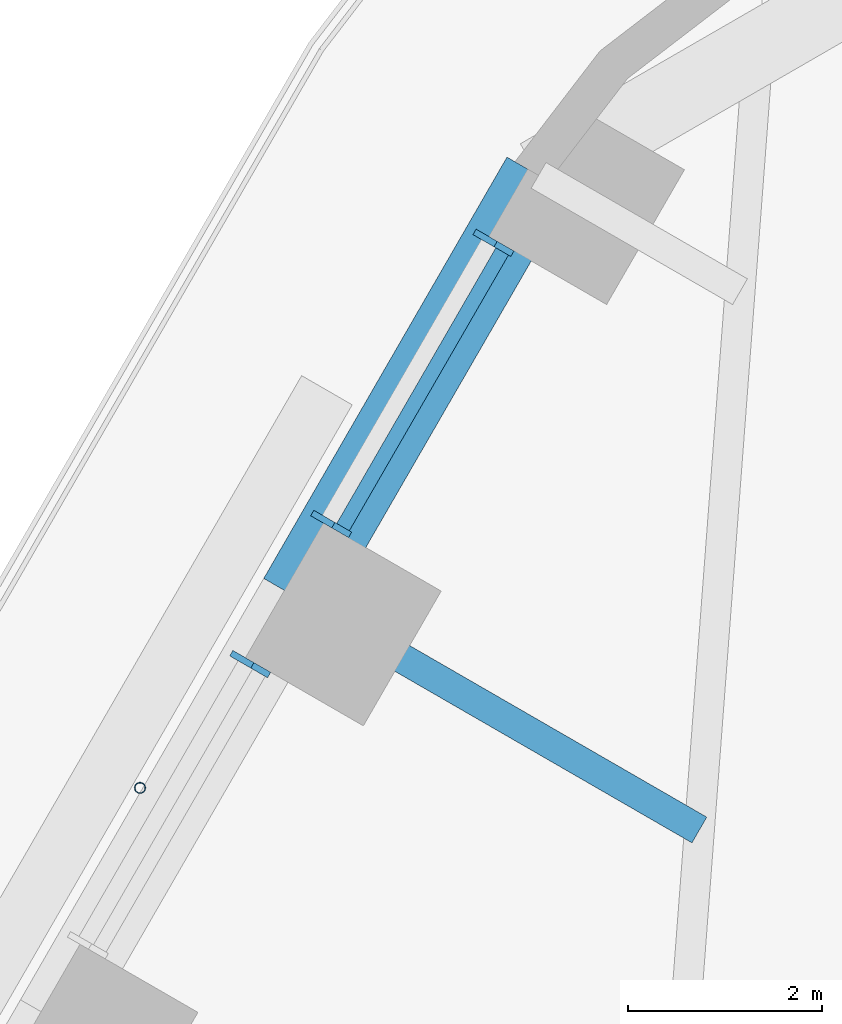
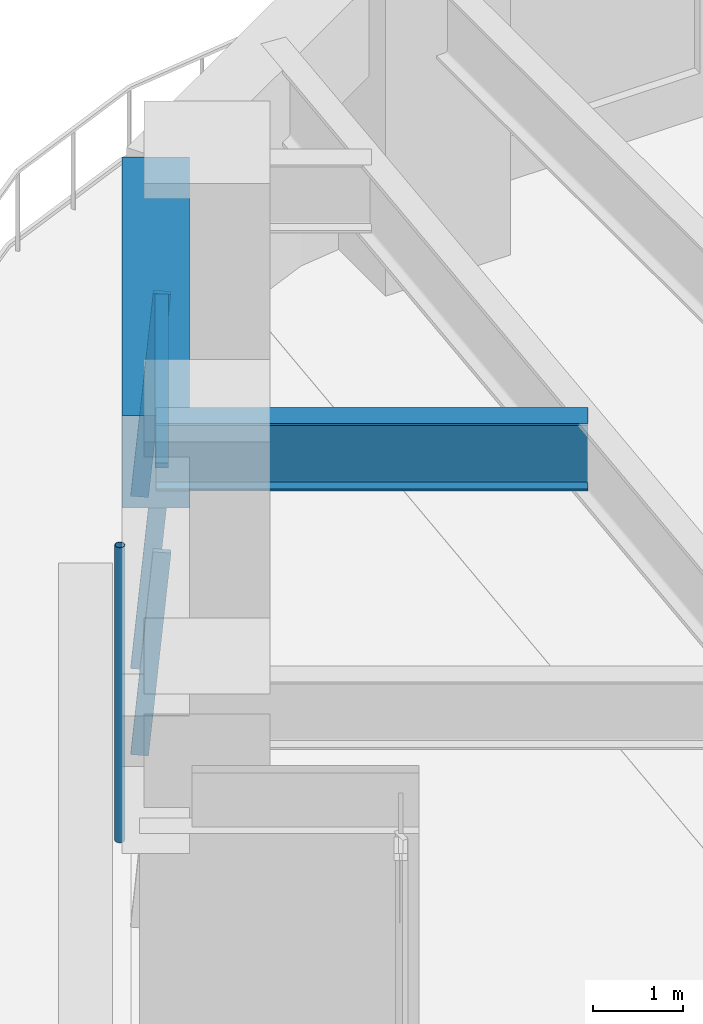
# One storey, part 9 of 24: 5 members, 2 beams, 2 elements without a shape of their own.
"""IFC4 building model written with IfcOpenShell, lengths in metres."""

from ifc_helpers import new_model, si_unit, direction, frame, origin, origin_2d, place, context, subcontext, project, spatial, rectangle, hollow_circle, i_section, extrude, material, material_profile, profile_set, type_object, element, aggregate, save


model = new_model("IFC4")

# Units and contexts
model_context = context("Model", 3, precision=1e-05, world=origin(), true_north=direction((0.0, 1.0)))
body_context = subcontext(model_context, "Body", "Model", "MODEL_VIEW")
ifc_project = project(units=[si_unit("LENGTHUNIT", "METRE"), si_unit("AREAUNIT", "SQUARE_METRE"), si_unit("VOLUMEUNIT", "CUBIC_METRE"), si_unit("PLANEANGLEUNIT", "RADIAN"), si_unit("MASSUNIT", "GRAM", prefix="KILO")], contexts=[model_context])

# Site, building, storey
site_placement = place(None, origin())
site = spatial("IfcSite", under=ifc_project, at=site_placement, CompositionType="ELEMENT")
building_placement = place(site_placement, origin())
building = spatial("IfcBuilding", under=site, at=building_placement, Name="Tarfa Lantern Tower", CompositionType="ELEMENT")
storey_placement = place(building_placement, frame((0.0, 0.0, 169.89990234375)))
storey = spatial("IfcBuildingStorey", under=building, at=storey_placement, Name="L38", CompositionType="ELEMENT", Elevation=169.89990234375)

# Curtain wall, members
ifc_material_1 = material(Name="Aluminium framed curtain wall", Category="aluminium")
curtain_wall_type = type_object("IfcCurtainWallType", Name="CW2 CANTED GLAZING MID ZONE 2750", PredefinedType="USERDEFINED", material=ifc_material_1)
curtain_wall_1_placement = place(storey_placement, origin())
curtain_wall_1 = element("IfcCurtainWall", 1, at=curtain_wall_1_placement, inside=storey, type_object=curtain_wall_type, Name="CW2 NW L38", ObjectType="CURTAIN WALL", PredefinedType="USERDEFINED")
ifc_material_2 = material(Name="Aluminium mullion", Category="aluminium")
ifc_material_profile_1 = material_profile(ifc_material_2, rectangle(XDim=0.06494140625, YDim=0.199951171875, at=origin_2d()), Name="AL MULLION 65x200")
ifc_profile_set_1 = profile_set([ifc_material_profile_1], Name="Aluminium mullion")
member_type_1 = type_object("IfcMemberType", Name="CWM1 MULLION 65x200", PredefinedType="MULLION", material=ifc_profile_set_1)
member_1_placement = place(storey_placement, frame((-20.10400390625, 27.97900390625, 0.0), z_axis=(0.078422950161, -0.045267813396, 0.995891894715), x_axis=(0.499919672301, 0.866071776036, 0.0)))
member_1 = element("IfcMember", 2, at=member_1_placement, type_object=member_type_1, Name="CW2 mullion 1", PredefinedType="MULLION", context=body_context, shape_type="SweptSolid", body=[
    extrude(rectangle(XDim=0.06494140625, YDim=0.199951171875, at=origin_2d()), origin(), (0.0, 0.0, 1.0), 2.76123046875),
])
member_2_placement = place(storey_placement, frame((-21.773193359375, 25.087646484375, 0.0), z_axis=(0.078422950161, -0.045267813396, 0.995891894715), x_axis=(0.499919672301, 0.866071776036, 0.0)))
member_2 = element("IfcMember", 3, at=member_2_placement, type_object=member_type_1, Name="CW2 mullion 2", PredefinedType="MULLION", context=body_context, shape_type="SweptSolid", body=[
    extrude(rectangle(XDim=0.06494140625, YDim=0.199951171875, at=origin_2d()), origin(), (0.0, 0.0, 1.0), 2.76123046875),
])

# Curtain wall, member
curtain_wall_2_placement = place(storey_placement, origin())
curtain_wall_2 = element("IfcCurtainWall", 4, at=curtain_wall_2_placement, inside=storey, type_object=curtain_wall_type, Name="CW2 NW L38", ObjectType="CURTAIN WALL", PredefinedType="USERDEFINED")
member_3_placement = place(storey_placement, frame((-22.605712890625, 23.645751953125, 0.0), z_axis=(0.078422950161, -0.045267813396, 0.995891894715), x_axis=(0.499919672301, 0.866071776036, 0.0)))
member_3 = element("IfcMember", 5, at=member_3_placement, type_object=member_type_1, Name="CW2 mullion 1", PredefinedType="MULLION", context=body_context, shape_type="SweptSolid", body=[
    extrude(rectangle(XDim=0.06494140625, YDim=0.199951171875, at=origin_2d()), origin(), (0.0, 0.0, 1.0), 2.76123046875),
])
aggregate(curtain_wall_2, [member_3])

# Member
ifc_material_3 = material(Name="Aluminium transom", Category="aluminium")
ifc_material_profile_2 = material_profile(ifc_material_3, rectangle(XDim=0.14990234375, YDim=0.06494140625, at=origin_2d()), Name="AL TRANSOM 150x65")
ifc_profile_set_2 = profile_set([ifc_material_profile_2], Name="Aluminium transom")
member_type_2 = type_object("IfcMemberType", Name="CWT1 TRANSOM 150x65", PredefinedType="USERDEFINED", material=ifc_profile_set_2)
member_4_placement = place(storey_placement, frame((-19.90625, 27.827392578125, 2.717529296875), z_axis=(-0.499957005835, -0.866050225054, 0.0), x_axis=(0.866050225054, -0.499957005835, 0.0)))
member_4 = element("IfcMember", 6, at=member_4_placement, type_object=member_type_2, Name="CW2 transom 1.2", ObjectType="TRANSOM", PredefinedType="USERDEFINED", context=body_context, shape_type="SweptSolid", body=[
    extrude(rectangle(XDim=0.14990234375, YDim=0.06494140625, at=origin_2d()), origin(), (0.0, 0.0, 1.0), 3.273681640625),
])

aggregate(curtain_wall_1, [member_1, member_2, member_4])

# Beam
ifc_material_4 = material(Name="Concrete C80/95", Category="concrete")
ifc_material_profile_3 = material_profile(ifc_material_4, rectangle(XDim=0.75, YDim=1.25, at=origin_2d()), Name="RC 750x1250")
ifc_profile_set_3 = profile_set([ifc_material_profile_3], Name="Concrete C80/95")
beam_type_1 = type_object("IfcBeamType", Name="EB2 RC 750x1250", PredefinedType="SPANDREL", material=ifc_profile_set_3)
beam_1_placement = place(storey_placement, frame((-19.53173828125, 28.610107421875, 3.375), z_axis=(-0.500001197378, -0.866024712477, 0.0), x_axis=(0.866024712477, -0.500001197378, 0.0)))
element("IfcBeam", 7, at=beam_1_placement, inside=storey, type_object=beam_type_1, Name="Edge beam NW0", PredefinedType="SPANDREL", context=body_context, shape_type="SweptSolid", body=[
    extrude(rectangle(XDim=0.75, YDim=1.25, at=origin_2d()), origin(), (0.0, 0.0, 1.0), 5.00390625),
])

# Member
ifc_material_5 = material(Name="Steel S355", Category="steel")
ifc_material_profile_4 = material_profile(ifc_material_5, hollow_circle(Radius=0.05712890625, WallThickness=0.00634765625, at=origin_2d()), Name="CHS114.3x6.3")
ifc_profile_set_4 = profile_set([ifc_material_profile_4], Name="Steel S355")
member_type_3 = type_object("IfcMemberType", Name="TR1 GREEN WALL TRELLIS CHS114.3x6.3", PredefinedType="USERDEFINED", material=ifc_profile_set_4)
member_5_placement = place(storey_placement, frame((-23.630859375, 22.31005859375, 0.0), z_axis=(0.0, 0.0, 1.0), x_axis=(1.0, 0.0, 0.0)))
element("IfcMember", 8, at=member_5_placement, inside=storey, type_object=member_type_3, Name="Trellis post NW 1", ObjectType="TRELLIS", PredefinedType="USERDEFINED", context=body_context, shape_type="SweptSolid", body=[
    extrude(hollow_circle(Radius=0.05712890625, WallThickness=0.00634765625, at=origin_2d()), origin(), (0.0, 0.0, 1.0), 4.0),
])

# Beam
ifc_material_6 = material(Name="Steel S460M", Category="steel")
ifc_material_profile_5 = material_profile(ifc_material_6, i_section(OverallWidth=0.305419921875, OverallDepth=0.91845703125, WebThickness=0.017333984375, FlangeThickness=0.02783203125, FilletRadius=0.01904296875, at=origin_2d()), Name="UB914x305x253")
ifc_profile_set_5 = profile_set([ifc_material_profile_5], Name="Steel S460M")
beam_type_2 = type_object("IfcBeamType", Name="UB914x305x253", PredefinedType="BEAM", material=ifc_profile_set_5)
beam_2_placement = place(storey_placement, frame((-22.03369140625, 24.276611328125, 3.541015625), z_axis=(0.866030550462, -0.499991085587, 0.0), x_axis=(0.499991085587, 0.866030550462, 0.0)))
element("IfcBeam", 9, at=beam_2_placement, inside=storey, type_object=beam_type_2, Name="Floor beam NW1", PredefinedType="BEAM", context=body_context, shape_type="SweptSolid", body=[
    extrude(i_section(OverallWidth=0.305419921875, OverallDepth=0.91845703125, WebThickness=0.017333984375, FlangeThickness=0.02783203125, FilletRadius=0.01904296875, at=origin_2d()), origin(), (0.0, 0.0, 1.0), 4.798828125),
])

save(model, "model.ifc")
